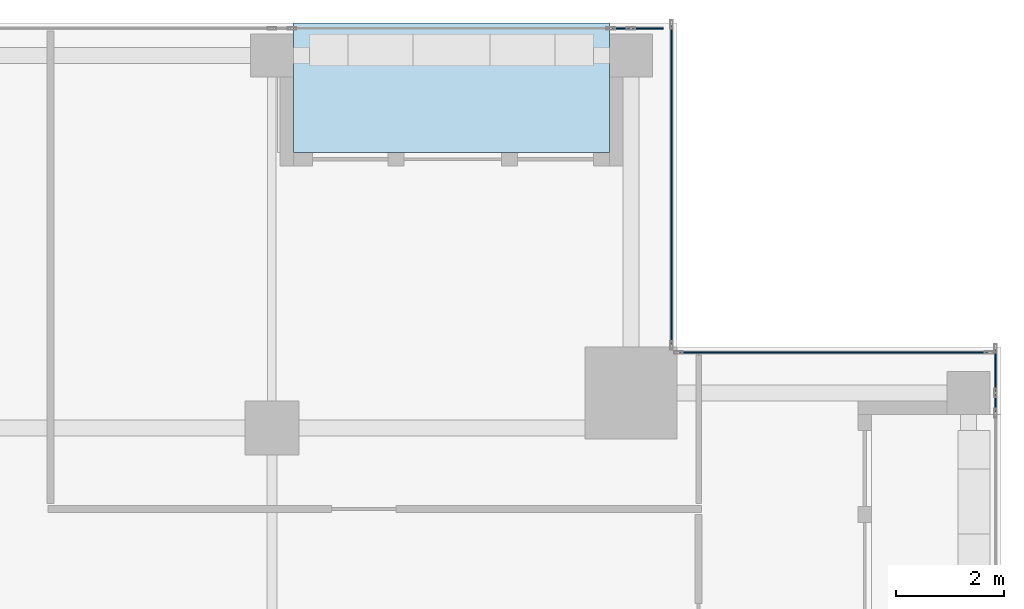
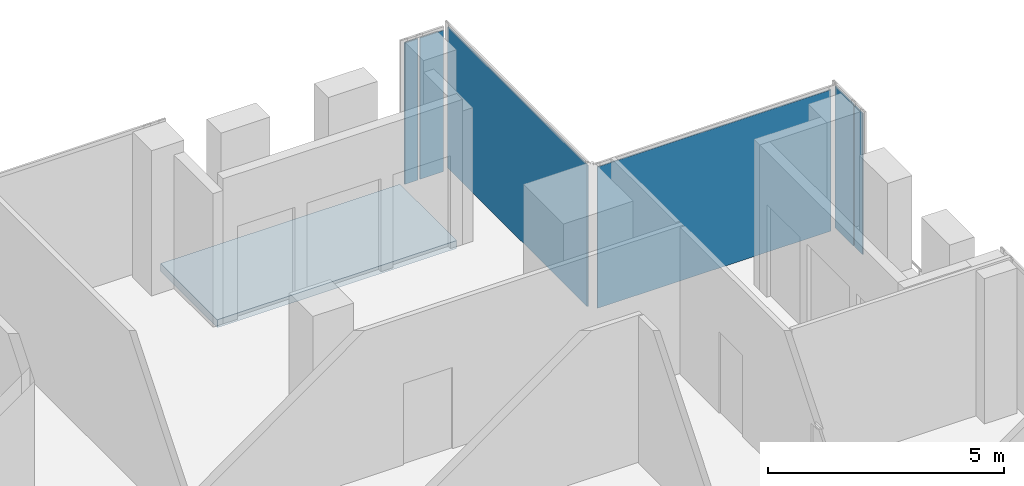
# One storey, part 24 of 29: 6 plates, 1 slab, 4 elements without a shape of their own.
"""IFC4 building model written with IfcOpenShell, lengths in metres."""

from ifc_helpers import new_model, si_unit, direction, frame, origin, origin_2d, place, context, subcontext, project, spatial, polyline, rectangle, outline, extrude, source, transform, mapped, material, layer, layer_set, type_object, element, aggregate, save


model = new_model("IFC4")

# Units and contexts
model_context = context("Model", 3, precision=1e-05, world=origin(), true_north=direction((0.0, 1.0)))
body_context = subcontext(model_context, "Body", "Model", "MODEL_VIEW")
ifc_project = project(units=[si_unit("LENGTHUNIT", "METRE"), si_unit("AREAUNIT", "SQUARE_METRE"), si_unit("VOLUMEUNIT", "CUBIC_METRE"), si_unit("PLANEANGLEUNIT", "RADIAN"), si_unit("MASSUNIT", "GRAM", prefix="KILO")], contexts=[model_context])

# Site, building, storey
site_placement = place(None, origin())
site = spatial("IfcSite", under=ifc_project, at=site_placement, CompositionType="ELEMENT")
building_placement = place(site_placement, origin())
building = spatial("IfcBuilding", under=site, at=building_placement, Name="Khomas Fold Tower", CompositionType="ELEMENT")
storey_placement = place(building_placement, frame((0.0, 0.0, 314.199951171875)))
storey = spatial("IfcBuildingStorey", under=building, at=storey_placement, Name="L71", CompositionType="ELEMENT", Elevation=314.199951171875)

# Curtain wall, plate
ifc_material_1 = material(Name="Aluminium framed double glazing", Category="aluminium")
curtain_wall_type = type_object("IfcCurtainWallType", Name="SK-Unitised clear-glass wall, upper floors CW3", PredefinedType="NOTDEFINED", material=ifc_material_1)
curtain_wall_1_placement = place(storey_placement, origin())
curtain_wall_1 = element("IfcCurtainWall", 1, at=curtain_wall_1_placement, inside=storey, type_object=curtain_wall_type, Name="CW3 run L71 06-0", PredefinedType="NOTDEFINED")
ifc_material_2 = material(Name="Clear double glazed unit")
ifc_layer_1 = layer(ifc_material_2, 0.028076171875)
ifc_layer_set_1 = layer_set([ifc_layer_1], Name="Clear double glazed unit")
plate_type = type_object("IfcPlateType", Name="SK-Unitised clear-glass wall, upper floors glass panel CW3-P", PredefinedType="CURTAIN_PANEL", material=ifc_layer_set_1)
shared_shape_1 = source(origin(), body_context, "Body", "SweptSolid", [
    extrude(rectangle(XDim=0.574951171875, YDim=0.028076171875, at=origin_2d()), origin(), (0.0, 0.0, 1.0), 3.64990234375),
])
plate_1_placement = place(storey_placement, frame((41.46240234375, 47.89990234375, 0.0), z_axis=(0.0, 0.0, 1.0), x_axis=(-1.0, 0.0, 0.0)))
plate_1 = element("IfcPlate", 2, at=plate_1_placement, type_object=plate_type, Name="CW3 glass panel 1", PredefinedType="CURTAIN_PANEL", context=body_context, shape_type="MappedRepresentation", body=[
    mapped(shared_shape_1, transform((0.0, 0.0, 0.0))),
])

curtain_wall_2_placement = place(storey_placement, origin())
curtain_wall_2 = element("IfcCurtainWall", 3, at=curtain_wall_2_placement, inside=storey, type_object=curtain_wall_type, Name="CW3 run L71 03-1", PredefinedType="NOTDEFINED")
shared_shape_2 = source(origin(), body_context, "Body", "SweptSolid", [
    extrude(rectangle(XDim=0.77490234375, YDim=0.028076171875, at=origin_2d()), origin(), (0.0, 0.0, 1.0), 3.64990234375),
])
plate_2_placement = place(storey_placement, frame((47.89990234375, 41.5625, 0.0), z_axis=(0.0, 0.0, 1.0), x_axis=(0.0, 1.0, 0.0)))
plate_2 = element("IfcPlate", 4, at=plate_2_placement, type_object=plate_type, Name="CW3 glass panel 2", PredefinedType="CURTAIN_PANEL", context=body_context, shape_type="MappedRepresentation", body=[
    mapped(shared_shape_2, transform((0.0, 0.0, 0.0))),
])

curtain_wall_3_placement = place(storey_placement, origin())
curtain_wall_3 = element("IfcCurtainWall", 5, at=curtain_wall_3_placement, inside=storey, type_object=curtain_wall_type, Name="CW3 corner return L71 04", PredefinedType="NOTDEFINED")
shared_shape_3 = source(origin(), body_context, "Body", "SweptSolid", [
    extrude(rectangle(XDim=5.699951171875, YDim=0.028076171875, at=origin_2d()), origin(), (0.0, 0.0, 1.0), 3.64990234375),
])
plate_3_placement = place(storey_placement, frame((44.89990234375, 41.89990234375, 0.0), z_axis=(0.0, 0.0, 1.0), x_axis=(-1.0, 0.0, 0.0)))
plate_3 = element("IfcPlate", 6, at=plate_3_placement, type_object=plate_type, Name="CW3 glass panel 1", PredefinedType="CURTAIN_PANEL", context=body_context, shape_type="MappedRepresentation", body=[
    mapped(shared_shape_3, transform((0.0, 0.0, 0.0))),
])
aggregate(curtain_wall_3, [plate_3])

curtain_wall_4_placement = place(storey_placement, origin())
curtain_wall_4 = element("IfcCurtainWall", 7, at=curtain_wall_4_placement, inside=storey, type_object=curtain_wall_type, Name="CW3 corner return L71 05", PredefinedType="NOTDEFINED")
shared_shape_4 = source(origin(), body_context, "Body", "SweptSolid", [
    extrude(rectangle(XDim=5.89990234375, YDim=0.028076171875, at=origin_2d()), origin(), (0.0, 0.0, 1.0), 3.64990234375),
])
plate_4_placement = place(storey_placement, frame((41.89990234375, 45.0, 0.0), z_axis=(0.0, 0.0, 1.0), x_axis=(0.0, 1.0, 0.0)))
plate_4 = element("IfcPlate", 8, at=plate_4_placement, type_object=plate_type, Name="CW3 glass panel 1", PredefinedType="CURTAIN_PANEL", context=body_context, shape_type="MappedRepresentation", body=[
    mapped(shared_shape_4, transform((0.0, 0.0, 0.0))),
])
aggregate(curtain_wall_4, [plate_4])

# Plate
shared_shape_5 = source(origin(), body_context, "Body", "SweptSolid", [
    extrude(rectangle(XDim=0.324951171875, YDim=0.028076171875, at=origin_2d()), origin(), (0.0, 0.0, 1.0), 3.64990234375),
])
plate_5_placement = place(storey_placement, frame((47.89990234375, 40.96240234375, 0.0), z_axis=(0.0, 0.0, 1.0), x_axis=(0.0, 1.0, 0.0)))
plate_5 = element("IfcPlate", 9, at=plate_5_placement, type_object=plate_type, Name="CW3 glass panel 1", PredefinedType="CURTAIN_PANEL", context=body_context, shape_type="MappedRepresentation", body=[
    mapped(shared_shape_5, transform((0.0, 0.0, 0.0))),
])

aggregate(curtain_wall_2, [plate_5, plate_2])

plate_6_placement = place(storey_placement, frame((40.96240234375, 47.89990234375, 0.0), z_axis=(0.0, 0.0, 1.0), x_axis=(-1.0, 0.0, 0.0)))
plate_6 = element("IfcPlate", 10, at=plate_6_placement, type_object=plate_type, Name="CW3 glass panel 2", PredefinedType="CURTAIN_PANEL", context=body_context, shape_type="MappedRepresentation", body=[
    mapped(shared_shape_5, transform((0.0, 0.0, 0.0))),
])

aggregate(curtain_wall_1, [plate_1, plate_6])

# Slab
ifc_material_3 = material(Name="Concrete C40/50", Category="concrete")
ifc_layer_2 = layer(ifc_material_3, 0.205078125)
ifc_layer_set_2 = layer_set([ifc_layer_2], Name="Concrete C40/50")
slab_type = type_object("IfcSlabType", Name="BL-Balcony deck 205", PredefinedType="FLOOR", material=ifc_layer_set_2)
shared_shape_6 = source(origin(), body_context, "Body", "SweptSolid", [
    extrude(outline(polyline([(34.89990234375, 45.60009765625), (40.75, 45.60009765625), (40.75, 48.0), (34.89990234375, 48.0), (34.89990234375, 45.60009765625)])), origin(), (0.0, 0.0, 1.0), 0.205078125),
])
slab_placement = place(storey_placement, frame((0.0, 0.0, -0.25)))
element("IfcSlab", 11, at=slab_placement, inside=storey, type_object=slab_type, Name="Balcony deck BAL-L71-N4", PredefinedType="FLOOR", context=body_context, shape_type="MappedRepresentation", body=[
    mapped(shared_shape_6, transform((0.0, 0.0, 0.0))),
])

save(model, "model.ifc")
